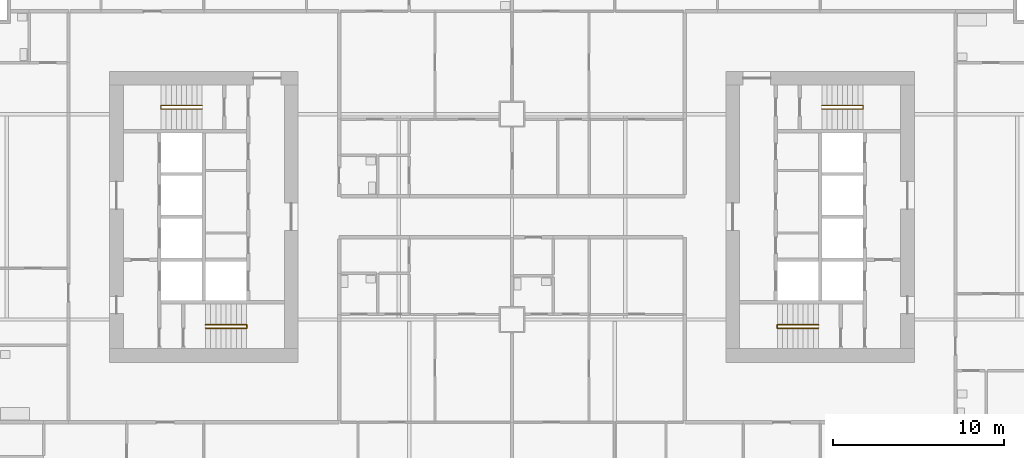
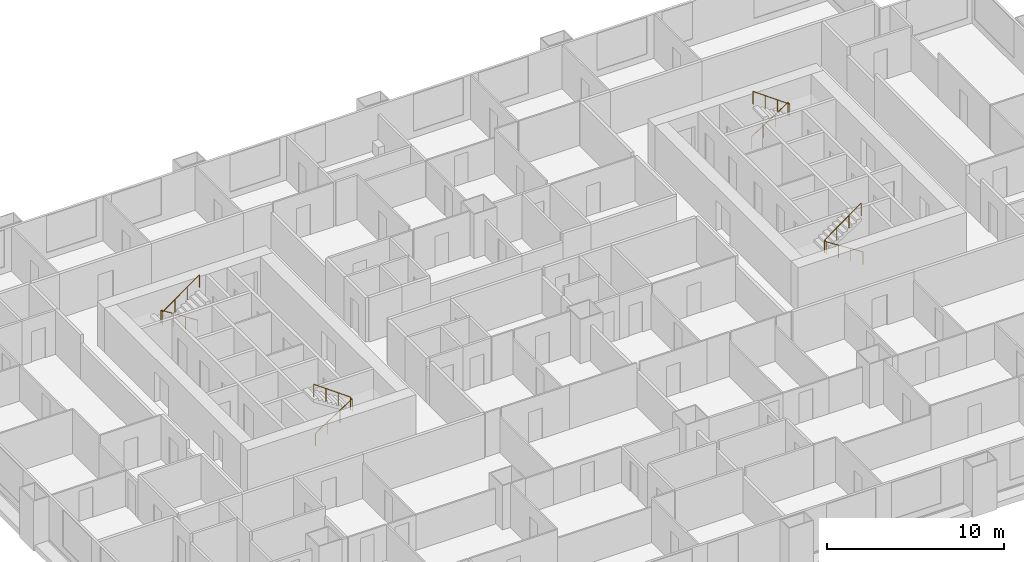
# One storey, part 13 of 14: 4 railings.
"""IFC4 building model written with IfcOpenShell, lengths in metres."""

from ifc_helpers import new_model, si_unit, direction, frame, origin, origin_2d, place, context, subcontext, project, spatial, circle, extrude, material, type_object, element, save


model = new_model("IFC4")

# Units and contexts
model_context = context("Model", 3, precision=1e-05, world=origin(), true_north=direction((0.0, 1.0)))
body_context = subcontext(model_context, "Body", "Model", "MODEL_VIEW")
ifc_project = project(units=[si_unit("LENGTHUNIT", "METRE"), si_unit("AREAUNIT", "SQUARE_METRE"), si_unit("VOLUMEUNIT", "CUBIC_METRE"), si_unit("PLANEANGLEUNIT", "RADIAN"), si_unit("MASSUNIT", "GRAM", prefix="KILO")], contexts=[model_context])

# Site, building, storey
site_placement = place(None, origin())
site = spatial("IfcSite", under=ifc_project, at=site_placement, CompositionType="ELEMENT")
building_placement = place(site_placement, origin())
building = spatial("IfcBuilding", under=site, at=building_placement, Name="Kitamizu Gate Tower and Museum", CompositionType="ELEMENT")
storey_placement = place(building_placement, frame((0.0, 0.0, 67.949951171875)))
storey = spatial("IfcBuildingStorey", under=building, at=storey_placement, Name="L16", CompositionType="ELEMENT", Elevation=67.949951171875)

# Railings
ifc_material = material(Name="Stainless steel SUS304", Category="steel")
railing_type = type_object("IfcRailingType", Name="Stair handrail 900", PredefinedType="HANDRAIL", material=ifc_material)
railing_1_placement = place(storey_placement, frame((18.10009765625, 23.5, 0.191650390625)))
element("IfcRailing", 1, at=railing_1_placement, inside=storey, type_object=railing_type, Name="Stair handrail ST1", PredefinedType="HANDRAIL", context=body_context, shape_type="SweptSolid", body=[
    extrude(circle(Radius=0.02392578125, at=origin_2d()), frame((0.0, 0.0, 0.8759765625), z_axis=(0.842668169335, 0.0, 0.538433242278), x_axis=(0.0, 1.0, 0.0)), (0.0, 0.0, 1.0), 2.847900390625),
    extrude(circle(Radius=0.02392578125, at=origin_2d()), frame((2.39990234375, 0.0, 2.4091796875), z_axis=(0.0, 1.0, 0.0), x_axis=(-1.0, 0.0, 0.0)), (0.0, 0.0, 1.0), 0.199951171875),
    extrude(circle(Radius=0.02392578125, at=origin_2d()), frame((2.39990234375, 0.199951171875, 2.4091796875), z_axis=(-0.81202760531, 0.0, 0.583619026604), x_axis=(0.0, -1.0, 0.0)), (0.0, 0.0, 1.0), 2.955322265625),
    extrude(circle(Radius=0.02099609375, at=origin_2d()), origin(), (0.0, 0.0, 1.0), 0.851806640625),
    extrude(circle(Radius=0.02099609375, at=origin_2d()), frame((0.800048828125, 0.0, 0.51123046875)), (0.0, 0.0, 1.0), 0.851806640625),
    extrude(circle(Radius=0.02099609375, at=origin_2d()), frame((1.599853515625, 0.0, 1.022216796875)), (0.0, 0.0, 1.0), 0.851806640625),
    extrude(circle(Radius=0.02099609375, at=origin_2d()), frame((2.39990234375, 0.0, 1.533447265625)), (0.0, 0.0, 1.0), 0.851806640625),
    extrude(circle(Radius=0.02099609375, at=origin_2d()), frame((2.39990234375, 0.199951171875, 1.533447265625)), (0.0, 0.0, 1.0), 0.851806640625),
    extrude(circle(Radius=0.02099609375, at=origin_2d()), frame((1.599853515625, 0.199951171875, 2.1083984375)), (0.0, 0.0, 1.0), 0.851806640625),
    extrude(circle(Radius=0.02099609375, at=origin_2d()), frame((0.800048828125, 0.199951171875, 2.683349609375)), (0.0, 0.0, 1.0), 0.851806640625),
    extrude(circle(Radius=0.02099609375, at=origin_2d()), frame((0.0, 0.199951171875, 3.25830078125)), (0.0, 0.0, 1.0), 0.851806640625),
])
railing_2_placement = place(storey_placement, frame((17.89990234375, 36.5, 0.191650390625)))
element("IfcRailing", 2, at=railing_2_placement, inside=storey, type_object=railing_type, Name="Stair handrail ST2", PredefinedType="HANDRAIL", context=body_context, shape_type="SweptSolid", body=[
    extrude(circle(Radius=0.02392578125, at=origin_2d()), frame((0.0, 0.0, 0.8759765625), z_axis=(-0.842668169335, 0.0, 0.538433242278), x_axis=(0.0, -1.0, 0.0)), (0.0, 0.0, 1.0), 2.847900390625),
    extrude(circle(Radius=0.02392578125, at=origin_2d()), frame((-2.39990234375, 0.0, 2.4091796875), z_axis=(0.0, -1.0, 0.0), x_axis=(1.0, 0.0, 0.0)), (0.0, 0.0, 1.0), 0.199951171875),
    extrude(circle(Radius=0.02392578125, at=origin_2d()), frame((-2.39990234375, -0.199951171875, 2.4091796875), z_axis=(0.81202760531, 0.0, 0.583619026604), x_axis=(0.0, 1.0, 0.0)), (0.0, 0.0, 1.0), 2.955322265625),
    extrude(circle(Radius=0.02099609375, at=origin_2d()), origin(), (0.0, 0.0, 1.0), 0.851806640625),
    extrude(circle(Radius=0.02099609375, at=origin_2d()), frame((-0.800048828125, 0.0, 0.51123046875)), (0.0, 0.0, 1.0), 0.851806640625),
    extrude(circle(Radius=0.02099609375, at=origin_2d()), frame((-1.599853515625, 0.0, 1.022216796875)), (0.0, 0.0, 1.0), 0.851806640625),
    extrude(circle(Radius=0.02099609375, at=origin_2d()), frame((-2.39990234375, 0.0, 1.533447265625)), (0.0, 0.0, 1.0), 0.851806640625),
    extrude(circle(Radius=0.02099609375, at=origin_2d()), frame((-2.39990234375, -0.199951171875, 1.533447265625)), (0.0, 0.0, 1.0), 0.851806640625),
    extrude(circle(Radius=0.02099609375, at=origin_2d()), frame((-1.599853515625, -0.199951171875, 2.1083984375)), (0.0, 0.0, 1.0), 0.851806640625),
    extrude(circle(Radius=0.02099609375, at=origin_2d()), frame((-0.800048828125, -0.199951171875, 2.683349609375)), (0.0, 0.0, 1.0), 0.851806640625),
    extrude(circle(Radius=0.02099609375, at=origin_2d()), frame((0.0, -0.199951171875, 3.25830078125)), (0.0, 0.0, 1.0), 0.851806640625),
])
railing_3_placement = place(storey_placement, frame((53.89990234375, 23.5, 0.191650390625)))
element("IfcRailing", 3, at=railing_3_placement, inside=storey, type_object=railing_type, Name="Stair handrail ST3", PredefinedType="HANDRAIL", context=body_context, shape_type="SweptSolid", body=[
    extrude(circle(Radius=0.02392578125, at=origin_2d()), frame((0.0, 0.0, 0.8759765625), z_axis=(-0.842668169335, 0.0, 0.538433242278), x_axis=(0.0, -1.0, 0.0)), (0.0, 0.0, 1.0), 2.847900390625),
    extrude(circle(Radius=0.02392578125, at=origin_2d()), frame((-2.39990234375, 0.0, 2.4091796875), z_axis=(0.0, 1.0, 0.0), x_axis=(-1.0, 0.0, 0.0)), (0.0, 0.0, 1.0), 0.199951171875),
    extrude(circle(Radius=0.02392578125, at=origin_2d()), frame((-2.39990234375, 0.199951171875, 2.4091796875), z_axis=(0.81202760531, 0.0, 0.583619026604), x_axis=(0.0, 1.0, 0.0)), (0.0, 0.0, 1.0), 2.955322265625),
    extrude(circle(Radius=0.02099609375, at=origin_2d()), origin(), (0.0, 0.0, 1.0), 0.851806640625),
    extrude(circle(Radius=0.02099609375, at=origin_2d()), frame((-0.800048828125, 0.0, 0.51123046875)), (0.0, 0.0, 1.0), 0.851806640625),
    extrude(circle(Radius=0.02099609375, at=origin_2d()), frame((-1.599853515625, 0.0, 1.022216796875)), (0.0, 0.0, 1.0), 0.851806640625),
    extrude(circle(Radius=0.02099609375, at=origin_2d()), frame((-2.39990234375, 0.0, 1.533447265625)), (0.0, 0.0, 1.0), 0.851806640625),
    extrude(circle(Radius=0.02099609375, at=origin_2d()), frame((-2.39990234375, 0.199951171875, 1.533447265625)), (0.0, 0.0, 1.0), 0.851806640625),
    extrude(circle(Radius=0.02099609375, at=origin_2d()), frame((-1.599853515625, 0.199951171875, 2.1083984375)), (0.0, 0.0, 1.0), 0.851806640625),
    extrude(circle(Radius=0.02099609375, at=origin_2d()), frame((-0.800048828125, 0.199951171875, 2.683349609375)), (0.0, 0.0, 1.0), 0.851806640625),
    extrude(circle(Radius=0.02099609375, at=origin_2d()), frame((0.0, 0.199951171875, 3.25830078125)), (0.0, 0.0, 1.0), 0.851806640625),
])
railing_4_placement = place(storey_placement, frame((54.10009765625, 36.5, 0.191650390625)))
element("IfcRailing", 4, at=railing_4_placement, inside=storey, type_object=railing_type, Name="Stair handrail ST4", PredefinedType="HANDRAIL", context=body_context, shape_type="SweptSolid", body=[
    extrude(circle(Radius=0.02392578125, at=origin_2d()), frame((0.0, 0.0, 0.8759765625), z_axis=(0.842668169335, 0.0, 0.538433242278), x_axis=(0.0, 1.0, 0.0)), (0.0, 0.0, 1.0), 2.847900390625),
    extrude(circle(Radius=0.02392578125, at=origin_2d()), frame((2.39990234375, 0.0, 2.4091796875), z_axis=(0.0, -1.0, 0.0), x_axis=(1.0, 0.0, 0.0)), (0.0, 0.0, 1.0), 0.199951171875),
    extrude(circle(Radius=0.02392578125, at=origin_2d()), frame((2.39990234375, -0.199951171875, 2.4091796875), z_axis=(-0.81202760531, 0.0, 0.583619026604), x_axis=(0.0, -1.0, 0.0)), (0.0, 0.0, 1.0), 2.955322265625),
    extrude(circle(Radius=0.02099609375, at=origin_2d()), origin(), (0.0, 0.0, 1.0), 0.851806640625),
    extrude(circle(Radius=0.02099609375, at=origin_2d()), frame((0.800048828125, 0.0, 0.51123046875)), (0.0, 0.0, 1.0), 0.851806640625),
    extrude(circle(Radius=0.02099609375, at=origin_2d()), frame((1.599853515625, 0.0, 1.022216796875)), (0.0, 0.0, 1.0), 0.851806640625),
    extrude(circle(Radius=0.02099609375, at=origin_2d()), frame((2.39990234375, 0.0, 1.533447265625)), (0.0, 0.0, 1.0), 0.851806640625),
    extrude(circle(Radius=0.02099609375, at=origin_2d()), frame((2.39990234375, -0.199951171875, 1.533447265625)), (0.0, 0.0, 1.0), 0.851806640625),
    extrude(circle(Radius=0.02099609375, at=origin_2d()), frame((1.599853515625, -0.199951171875, 2.1083984375)), (0.0, 0.0, 1.0), 0.851806640625),
    extrude(circle(Radius=0.02099609375, at=origin_2d()), frame((0.800048828125, -0.199951171875, 2.683349609375)), (0.0, 0.0, 1.0), 0.851806640625),
    extrude(circle(Radius=0.02099609375, at=origin_2d()), frame((0.0, -0.199951171875, 3.25830078125)), (0.0, 0.0, 1.0), 0.851806640625),
])

save(model, "model.ifc")
